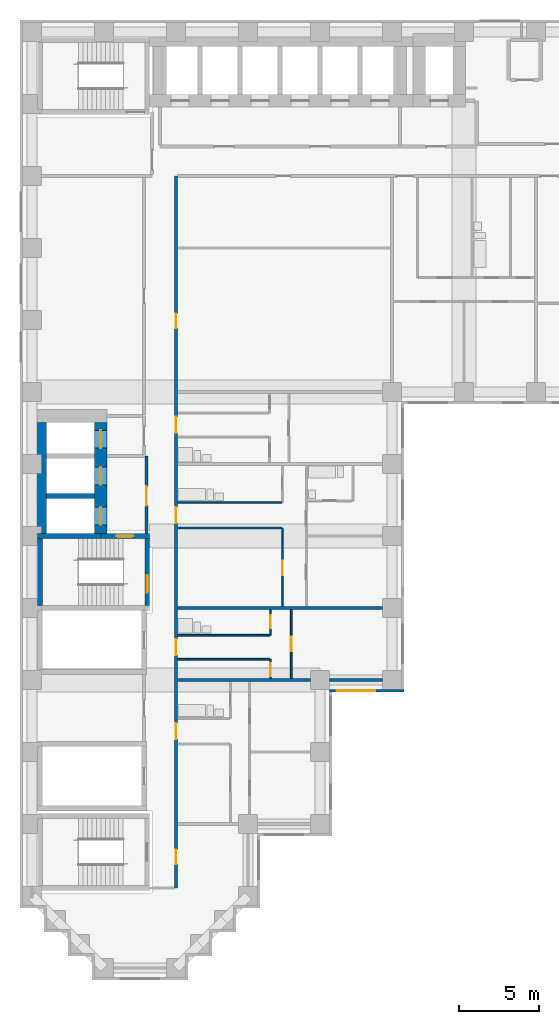
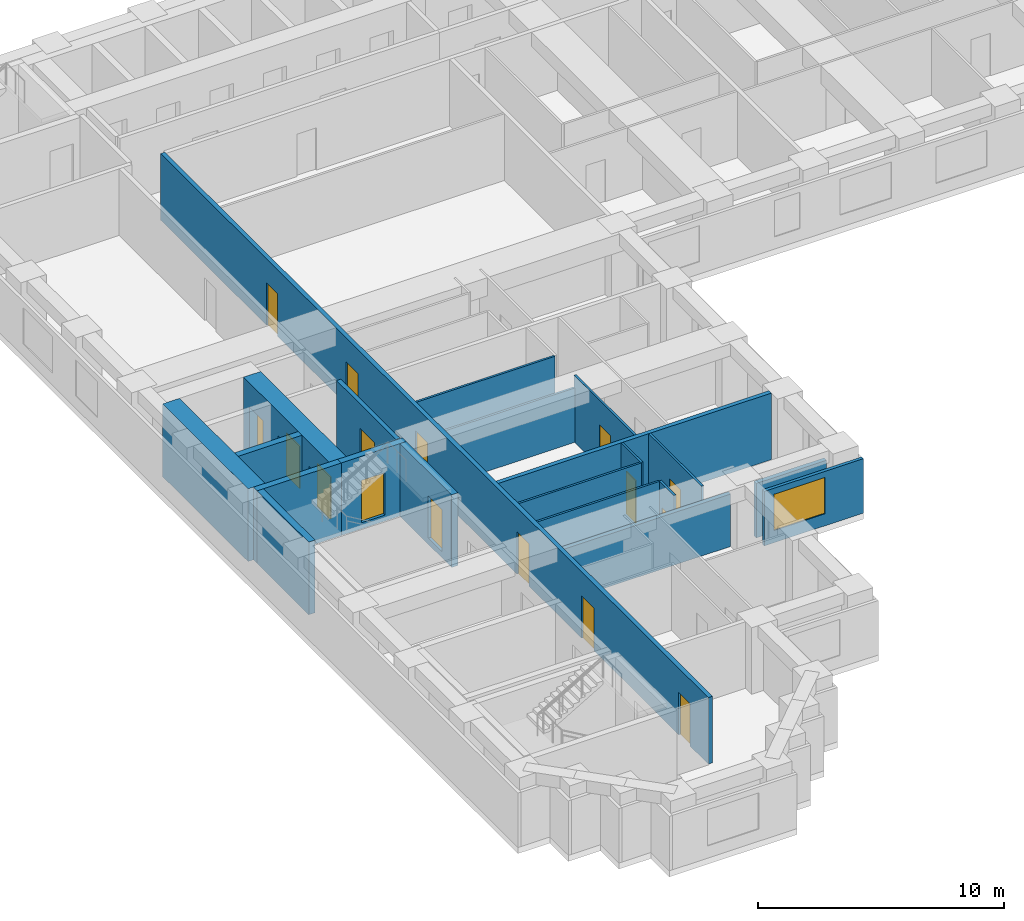
# One storey, part 3 of 11: 21 walls, 16 doors, 1 window, 17 openings.
"""IFC4 building model written with IfcOpenShell, lengths in metres."""

from ifc_helpers import new_model, si_unit, direction, frame, frame_2d, origin, place, context, subcontext, project, spatial, rectangle, extrude, material, layer, layer_set, type_object, element, fill, save


model = new_model("IFC4")

# Units and contexts
model_context = context("Model", 3, precision=1e-05, world=origin(), true_north=direction((0.0, 1.0)))
body_context = subcontext(model_context, "Body", "Model", "MODEL_VIEW")
ifc_project = project(units=[si_unit("LENGTHUNIT", "METRE"), si_unit("AREAUNIT", "SQUARE_METRE"), si_unit("VOLUMEUNIT", "CUBIC_METRE"), si_unit("PLANEANGLEUNIT", "RADIAN"), si_unit("MASSUNIT", "GRAM", prefix="KILO")], contexts=[model_context])

# Site, building, storey
site_placement = place(None, origin())
site = spatial("IfcSite", under=ifc_project, at=site_placement, CompositionType="ELEMENT")
building_placement = place(site_placement, origin())
building = spatial("IfcBuilding", under=site, at=building_placement, Name="Firuza Court", CompositionType="ELEMENT")
storey_placement = place(building_placement, frame((0.0, 0.0, 83.0)))
storey = spatial("IfcBuildingStorey", under=building, at=storey_placement, Name="L20", CompositionType="ELEMENT", Elevation=83.0)

# Walls
ifc_material_1 = material(Name="Moisture-resistant gypsum board partition")
ifc_layer_1 = layer(ifc_material_1, 0.10009765625)
ifc_layer_set_1 = layer_set([ifc_layer_1], Name="Moisture-resistant gypsum board partition")
wall_type_1 = type_object("IfcWallType", Name="Bathroom partition 100", PredefinedType="PLUMBINGWALL", material=ifc_layer_set_1)
wall_1_placement = place(storey_placement, frame((9.10009765625, 20.800048828125, 0.0), z_axis=(0.0, 0.0, 1.0), x_axis=(1.0, 0.0, 0.0)))
element("IfcWall", 1, at=wall_1_placement, inside=storey, type_object=wall_type_1, Name="Bathroom partition 100 L20", PredefinedType="PLUMBINGWALL", context=body_context, shape_type="SweptSolid", body=[
    extrude(rectangle(XDim=5.75, YDim=0.10009765625, at=frame_2d((2.875, 0.0))), origin(), (0.0, 0.0, 1.0), 3.300048828125),
])
wall_2_placement = place(storey_placement, frame((9.10009765625, 29.10009765625, 0.0), z_axis=(0.0, 0.0, 1.0), x_axis=(1.0, 0.0, 0.0)))
element("IfcWall", 2, at=wall_2_placement, inside=storey, type_object=wall_type_1, Name="Bathroom partition 100 L20", PredefinedType="PLUMBINGWALL", context=body_context, shape_type="SweptSolid", body=[
    extrude(rectangle(XDim=6.5, YDim=0.10009765625, at=frame_2d((3.25, 0.0))), origin(), (0.0, 0.0, 1.0), 3.300048828125),
])
ifc_material_2 = material(Name="Concrete C60/75", Category="concrete")
ifc_layer_2 = layer(ifc_material_2, 0.300048828125)
ifc_layer_set_2 = layer_set([ifc_layer_2], Name="Concrete C60/75")
wall_type_2 = type_object("IfcWallType", Name="Core wall 300 C60/75", PredefinedType="SHEAR", material=ifc_layer_set_2)
wall_3_placement = place(storey_placement, frame((0.35009765625, 27.0, -0.300048828125), z_axis=(0.0, 0.0, 1.0), x_axis=(1.0, 0.0, 0.0)))
element("IfcWall", 3, at=wall_3_placement, inside=storey, type_object=wall_type_2, Name="Core wall lift shaft L20", PredefinedType="SHEAR", context=body_context, shape_type="SweptSolid", body=[
    extrude(rectangle(XDim=3.949951171875, YDim=0.300048828125, at=frame_2d((1.97509765625, 0.0))), origin(), (0.0, 0.0, 1.0), 3.60009765625),
])
wall_4_placement = place(storey_placement, frame((0.5, 22.64990234375, -0.300048828125), z_axis=(0.0, 0.0, 1.0), x_axis=(0.0, 1.0, 0.0)))
element("IfcWall", 4, at=wall_4_placement, inside=storey, type_object=wall_type_2, Name="Core wall stair L20", PredefinedType="SHEAR", context=body_context, shape_type="SweptSolid", body=[
    extrude(rectangle(XDim=4.2001953125, YDim=0.300048828125, at=frame_2d((2.10009765625, 0.0))), origin(), (0.0, 0.0, 1.0), 3.60009765625),
])
wall_5_placement = place(storey_placement, frame((0.89990234375, 29.5, -0.300048828125), z_axis=(0.0, 0.0, 1.0), x_axis=(1.0, 0.0, 0.0)))
element("IfcWall", 5, at=wall_5_placement, inside=storey, type_object=wall_type_2, Name="Core wall lift shaft L20", PredefinedType="SHEAR", context=body_context, shape_type="SweptSolid", body=[
    extrude(rectangle(XDim=3.0, YDim=0.300048828125, at=frame_2d((1.5, 0.0))), origin(), (0.0, 0.0, 1.0), 3.60009765625),
])

# Wall, opening, door
wall_6_placement = place(storey_placement, frame((4.300048828125, 27.0, -0.300048828125), z_axis=(0.0, 0.0, 1.0), x_axis=(1.0, 0.0, 0.0)))
wall_6 = element("IfcWall", 6, at=wall_6_placement, inside=storey, type_object=wall_type_2, Name="Core wall stair L20", PredefinedType="SHEAR", context=body_context, shape_type="SweptSolid", body=[
    extrude(rectangle(XDim=3.050048828125, YDim=0.300048828125, at=frame_2d((1.52490234375, 0.0))), origin(), (0.0, 0.0, 1.0), 3.60009765625),
])
opening_1_placement = place(wall_6_placement, frame((0.949951171875, 0.0, 0.300048828125)))
opening_1 = element("IfcOpeningElement", 7, at=opening_1_placement, cuts=wall_6, Name="Opening D20014", PredefinedType="OPENING", context=body_context, shape_type="SweptSolid", body=[
    extrude(rectangle(XDim=1.10009765625, YDim=2.10009765625, at=frame_2d((0.550048828125, 1.050048828125))), frame((0.0, 0.162109375, 0.0), z_axis=(0.0, -1.0, 0.0), x_axis=(1.0, 0.0, 0.0)), (0.0, 0.0, 1.0), 0.323974609375),
])
ifc_material_3 = material(Name="Timber door leaf in hardwood frame", Category="wood")
door_type_1 = type_object("IfcDoorType", Name="Stair door 1100", OperationType="SINGLE_SWING_LEFT", PredefinedType="DOOR", material=ifc_material_3)
door_1_placement = place(opening_1_placement, frame((1.10009765625, 0.0, 0.0), z_axis=(0.0, 0.0, 1.0), x_axis=(-1.0, 0.0, 0.0)))
door_1 = element("IfcDoor", 8, at=door_1_placement, inside=storey, type_object=door_type_1, Name="Fire-fighting lobby door", OperationType="SINGLE_SWING_LEFT", OverallHeight=2.10009765625, OverallWidth=1.10009765625, PredefinedType="DOOR", context=body_context, shape_type="SweptSolid", body=[
    extrude(rectangle(XDim=1.10009765625, YDim=2.10009765625, at=frame_2d((0.550048828125, 1.050048828125))), frame((0.0, 0.02490234375, 0.0), z_axis=(0.0, -1.0, 0.0), x_axis=(1.0, 0.0, 0.0)), (0.0, 0.0, 1.0), 0.050048828125),
])
fill(opening_1, door_1)

wall_7_placement = place(storey_placement, frame((7.199951171875, 22.64990234375, -0.300048828125), z_axis=(0.0, 0.0, 1.0), x_axis=(0.0, 1.0, 0.0)))
wall_7 = element("IfcWall", 9, at=wall_7_placement, inside=storey, type_object=wall_type_2, Name="Core wall stair L20", PredefinedType="SHEAR", context=body_context, shape_type="SweptSolid", body=[
    extrude(rectangle(XDim=4.2001953125, YDim=0.300048828125, at=frame_2d((2.10009765625, 0.0))), origin(), (0.0, 0.0, 1.0), 3.60009765625),
])
opening_2_placement = place(wall_7_placement, frame((0.800048828125, 0.0, 0.300048828125)))
opening_2 = element("IfcOpeningElement", 10, at=opening_2_placement, cuts=wall_7, Name="Opening D20015", PredefinedType="OPENING", context=body_context, shape_type="SweptSolid", body=[
    extrude(rectangle(XDim=1.10009765625, YDim=2.10009765625, at=frame_2d((0.550048828125, 1.050048828125))), frame((0.0, 0.162109375, 0.0), z_axis=(0.0, -1.0, 0.0), x_axis=(1.0, 0.0, 0.0)), (0.0, 0.0, 1.0), 0.323974609375),
])
door_2_placement = place(opening_2_placement, origin())
door_2 = element("IfcDoor", 11, at=door_2_placement, inside=storey, type_object=door_type_1, Name="Stair door S2", OperationType="SINGLE_SWING_LEFT", OverallHeight=2.10009765625, OverallWidth=1.10009765625, PredefinedType="DOOR", context=body_context, shape_type="SweptSolid", body=[
    extrude(rectangle(XDim=1.10009765625, YDim=2.10009765625, at=frame_2d((0.550048828125, 1.050048828125))), frame((0.0, 0.02490234375, 0.0), z_axis=(0.0, -1.0, 0.0), x_axis=(1.0, 0.0, 0.0)), (0.0, 0.0, 1.0), 0.050048828125),
])
fill(opening_2, door_2)

# Wall
ifc_layer_3 = layer(ifc_material_2, 0.800048828125)
ifc_layer_set_3 = layer_set([ifc_layer_3], Name="Concrete C60/75")
wall_type_3 = type_object("IfcWallType", Name="Core wall 800 C60/75", PredefinedType="SHEAR", material=ifc_layer_set_3)
wall_8_placement = place(storey_placement, frame((0.5, 27.14990234375, -0.300048828125), z_axis=(0.0, 0.0, 1.0), x_axis=(0.0, 1.0, 0.0)))
element("IfcWall", 12, at=wall_8_placement, inside=storey, type_object=wall_type_3, Name="Core wall lift shaft L20", PredefinedType="SHEAR", context=body_context, shape_type="SweptSolid", body=[
    extrude(rectangle(XDim=6.9501953125, YDim=0.800048828125, at=frame_2d((3.47509765625, 0.0))), origin(), (0.0, 0.0, 1.0), 3.60009765625),
])

# Wall, openings, doors
wall_9_placement = place(storey_placement, frame((4.300048828125, 27.14990234375, -0.300048828125), z_axis=(0.0, 0.0, 1.0), x_axis=(0.0, 1.0, 0.0)))
wall_9 = element("IfcWall", 13, at=wall_9_placement, inside=storey, type_object=wall_type_3, Name="Core wall lift shaft L20", PredefinedType="SHEAR", context=body_context, shape_type="SweptSolid", body=[
    extrude(rectangle(XDim=6.9501953125, YDim=0.800048828125, at=frame_2d((3.47509765625, 0.0))), origin(), (0.0, 0.0, 1.0), 3.60009765625),
])
opening_3_placement = place(wall_9_placement, frame((3.050048828125, 0.0, 0.300048828125)))
opening_3 = element("IfcOpeningElement", 14, at=opening_3_placement, cuts=wall_9, Name="Opening LD-FL1-20", PredefinedType="OPENING", context=body_context, shape_type="SweptSolid", body=[
    extrude(rectangle(XDim=1.10009765625, YDim=2.10009765625, at=frame_2d((0.550048828125, 1.050048828125))), frame((0.0, 0.412109375, 0.0), z_axis=(0.0, -1.0, 0.0), x_axis=(1.0, 0.0, 0.0)), (0.0, 0.0, 1.0), 0.823974609375),
])
opening_4_placement = place(wall_9_placement, frame((0.550048828125, 0.0, 0.300048828125)))
opening_4 = element("IfcOpeningElement", 15, at=opening_4_placement, cuts=wall_9, Name="Opening LD-FL2-20", PredefinedType="OPENING", context=body_context, shape_type="SweptSolid", body=[
    extrude(rectangle(XDim=1.10009765625, YDim=2.10009765625, at=frame_2d((0.550048828125, 1.050048828125))), frame((0.0, 0.412109375, 0.0), z_axis=(0.0, -1.0, 0.0), x_axis=(1.0, 0.0, 0.0)), (0.0, 0.0, 1.0), 0.823974609375),
])
opening_5_placement = place(wall_9_placement, frame((5.35009765625, 0.0, 0.300048828125)))
opening_5 = element("IfcOpeningElement", 16, at=opening_5_placement, cuts=wall_9, Name="Opening LD-SL1-20", PredefinedType="OPENING", context=body_context, shape_type="SweptSolid", body=[
    extrude(rectangle(XDim=1.10009765625, YDim=2.10009765625, at=frame_2d((0.550048828125, 1.050048828125))), frame((0.0, 0.412109375, 0.0), z_axis=(0.0, -1.0, 0.0), x_axis=(1.0, 0.0, 0.0)), (0.0, 0.0, 1.0), 0.823974609375),
])
ifc_material_4 = material(Name="Stainless steel 1.4301 door leaf", Category="steel")
door_type_2 = type_object("IfcDoorType", Name="Lift landing door 1100", OperationType="SLIDING_TO_LEFT", PredefinedType="DOOR", material=ifc_material_4)
door_3_placement = place(opening_3_placement, origin())
door_3 = element("IfcDoor", 17, at=door_3_placement, inside=storey, type_object=door_type_2, Name="Landing door FL1", OperationType="SLIDING_TO_LEFT", OverallHeight=2.10009765625, OverallWidth=1.10009765625, PredefinedType="DOOR", context=body_context, shape_type="SweptSolid", body=[
    extrude(rectangle(XDim=1.10009765625, YDim=2.10009765625, at=frame_2d((0.550048828125, 1.050048828125))), frame((0.0, 0.02490234375, 0.0), z_axis=(0.0, -1.0, 0.0), x_axis=(1.0, 0.0, 0.0)), (0.0, 0.0, 1.0), 0.050048828125),
])
fill(opening_3, door_3)
door_4_placement = place(opening_4_placement, origin())
door_4 = element("IfcDoor", 18, at=door_4_placement, inside=storey, type_object=door_type_2, Name="Landing door FL2", OperationType="SLIDING_TO_LEFT", OverallHeight=2.10009765625, OverallWidth=1.10009765625, PredefinedType="DOOR", context=body_context, shape_type="SweptSolid", body=[
    extrude(rectangle(XDim=1.10009765625, YDim=2.10009765625, at=frame_2d((0.550048828125, 1.050048828125))), frame((0.0, 0.02490234375, 0.0), z_axis=(0.0, -1.0, 0.0), x_axis=(1.0, 0.0, 0.0)), (0.0, 0.0, 1.0), 0.050048828125),
])
fill(opening_4, door_4)
door_5_placement = place(opening_5_placement, origin())
door_5 = element("IfcDoor", 19, at=door_5_placement, inside=storey, type_object=door_type_2, Name="Landing door SL1", OperationType="SLIDING_TO_LEFT", OverallHeight=2.10009765625, OverallWidth=1.10009765625, PredefinedType="DOOR", context=body_context, shape_type="SweptSolid", body=[
    extrude(rectangle(XDim=1.10009765625, YDim=2.10009765625, at=frame_2d((0.550048828125, 1.050048828125))), frame((0.0, 0.02490234375, 0.0), z_axis=(0.0, -1.0, 0.0), x_axis=(1.0, 0.0, 0.0)), (0.0, 0.0, 1.0), 0.050048828125),
])
fill(opening_5, door_5)

ifc_material_5 = material(Name="Blockwork, plastered both sides", Category="masonry")
ifc_layer_4 = layer(ifc_material_5, 0.199951171875)
ifc_layer_set_4 = layer_set([ifc_layer_4], Name="Blockwork, plastered both sides")
wall_type_4 = type_object("IfcWallType", Name="Corridor wall 200", PredefinedType="PARTITIONING", material=ifc_layer_set_4)
wall_10_placement = place(storey_placement, frame((9.0, 5.0, 0.0), z_axis=(0.0, 0.0, 1.0), x_axis=(0.0, 1.0, 0.0)))
wall_10 = element("IfcWall", 20, at=wall_10_placement, inside=storey, type_object=wall_type_4, Name="Corridor wall 200 L20", PredefinedType="PARTITIONING", context=body_context, shape_type="SweptSolid", body=[
    extrude(rectangle(XDim=44.5, YDim=0.199951171875, at=frame_2d((22.25, 0.0))), origin(), (0.0, 0.0, 1.0), 3.300048828125),
])
opening_6_placement = place(wall_10_placement, frame((28.449951171875, 0.0, 0.0)))
opening_6 = element("IfcOpeningElement", 21, at=opening_6_placement, cuts=wall_10, Name="Opening D20019", PredefinedType="OPENING", context=body_context, shape_type="SweptSolid", body=[
    extrude(rectangle(XDim=1.0, YDim=2.10009765625, at=frame_2d((0.5, 1.050048828125))), frame((0.0, 0.11181640625, 0.0), z_axis=(0.0, -1.0, 0.0), x_axis=(1.0, 0.0, 0.0)), (0.0, 0.0, 1.0), 0.223876953125),
])
opening_7_placement = place(wall_10_placement, frame((22.800048828125, 0.0, 0.0)))
opening_7 = element("IfcOpeningElement", 22, at=opening_7_placement, cuts=wall_10, Name="Opening D20020", PredefinedType="OPENING", context=body_context, shape_type="SweptSolid", body=[
    extrude(rectangle(XDim=1.0, YDim=2.10009765625, at=frame_2d((0.5, 1.050048828125))), frame((0.0, 0.11181640625, 0.0), z_axis=(0.0, -1.0, 0.0), x_axis=(1.0, 0.0, 0.0)), (0.0, 0.0, 1.0), 0.223876953125),
])
opening_8_placement = place(wall_10_placement, frame((14.550048828125, 0.0, 0.0)))
opening_8 = element("IfcOpeningElement", 23, at=opening_8_placement, cuts=wall_10, Name="Opening D20021", PredefinedType="OPENING", context=body_context, shape_type="SweptSolid", body=[
    extrude(rectangle(XDim=1.0, YDim=2.10009765625, at=frame_2d((0.5, 1.050048828125))), frame((0.0, 0.11181640625, 0.0), z_axis=(0.0, -1.0, 0.0), x_axis=(1.0, 0.0, 0.0)), (0.0, 0.0, 1.0), 0.223876953125),
])
opening_9_placement = place(wall_10_placement, frame((9.300048828125, 0.0, 0.0)))
opening_9 = element("IfcOpeningElement", 24, at=opening_9_placement, cuts=wall_10, Name="Opening D20022", PredefinedType="OPENING", context=body_context, shape_type="SweptSolid", body=[
    extrude(rectangle(XDim=1.0, YDim=2.10009765625, at=frame_2d((0.5, 1.050048828125))), frame((0.0, 0.11181640625, 0.0), z_axis=(0.0, -1.0, 0.0), x_axis=(1.0, 0.0, 0.0)), (0.0, 0.0, 1.0), 0.223876953125),
])
opening_10_placement = place(wall_10_placement, frame((35.0, 0.0, 0.0)))
opening_10 = element("IfcOpeningElement", 25, at=opening_10_placement, cuts=wall_10, Name="Opening D20023", PredefinedType="OPENING", context=body_context, shape_type="SweptSolid", body=[
    extrude(rectangle(XDim=0.89990234375, YDim=2.10009765625, at=frame_2d((0.449951171875, 1.050048828125))), frame((0.0, 0.11181640625, 0.0), z_axis=(0.0, -1.0, 0.0), x_axis=(1.0, 0.0, 0.0)), (0.0, 0.0, 1.0), 0.223876953125),
])
opening_11_placement = place(wall_10_placement, frame((1.5, 0.0, 0.0)))
opening_11 = element("IfcOpeningElement", 26, at=opening_11_placement, cuts=wall_10, Name="Opening D20024", PredefinedType="OPENING", context=body_context, shape_type="SweptSolid", body=[
    extrude(rectangle(XDim=0.89990234375, YDim=2.10009765625, at=frame_2d((0.449951171875, 1.050048828125))), frame((0.0, 0.11181640625, 0.0), z_axis=(0.0, -1.0, 0.0), x_axis=(1.0, 0.0, 0.0)), (0.0, 0.0, 1.0), 0.223876953125),
])
ifc_material_6 = material(Name="Timber door leaf in hardwood frame", Category="wood")
door_type_3 = type_object("IfcDoorType", Name="Flat entrance door 1000", OperationType="SINGLE_SWING_LEFT", PredefinedType="DOOR", material=ifc_material_6)
door_6_placement = place(opening_6_placement, origin())
door_6 = element("IfcDoor", 27, at=door_6_placement, inside=storey, type_object=door_type_3, Name="Flat entrance door", OperationType="SINGLE_SWING_LEFT", OverallHeight=2.10009765625, OverallWidth=1.0, PredefinedType="DOOR", context=body_context, shape_type="SweptSolid", body=[
    extrude(rectangle(XDim=1.0, YDim=2.10009765625, at=frame_2d((0.5, 1.050048828125))), frame((0.0, 0.02490234375, 0.0), z_axis=(0.0, -1.0, 0.0), x_axis=(1.0, 0.0, 0.0)), (0.0, 0.0, 1.0), 0.050048828125),
])
fill(opening_6, door_6)
door_7_placement = place(opening_7_placement, origin())
door_7 = element("IfcDoor", 28, at=door_7_placement, inside=storey, type_object=door_type_3, Name="Flat entrance door", OperationType="SINGLE_SWING_LEFT", OverallHeight=2.10009765625, OverallWidth=1.0, PredefinedType="DOOR", context=body_context, shape_type="SweptSolid", body=[
    extrude(rectangle(XDim=1.0, YDim=2.10009765625, at=frame_2d((0.5, 1.050048828125))), frame((0.0, 0.02490234375, 0.0), z_axis=(0.0, -1.0, 0.0), x_axis=(1.0, 0.0, 0.0)), (0.0, 0.0, 1.0), 0.050048828125),
])
fill(opening_7, door_7)
door_8_placement = place(opening_8_placement, origin())
door_8 = element("IfcDoor", 29, at=door_8_placement, inside=storey, type_object=door_type_3, Name="Flat entrance door", OperationType="SINGLE_SWING_LEFT", OverallHeight=2.10009765625, OverallWidth=1.0, PredefinedType="DOOR", context=body_context, shape_type="SweptSolid", body=[
    extrude(rectangle(XDim=1.0, YDim=2.10009765625, at=frame_2d((0.5, 1.050048828125))), frame((0.0, 0.02490234375, 0.0), z_axis=(0.0, -1.0, 0.0), x_axis=(1.0, 0.0, 0.0)), (0.0, 0.0, 1.0), 0.050048828125),
])
fill(opening_8, door_8)
door_9_placement = place(opening_9_placement, origin())
door_9 = element("IfcDoor", 30, at=door_9_placement, inside=storey, type_object=door_type_3, Name="Flat entrance door", OperationType="SINGLE_SWING_LEFT", OverallHeight=2.10009765625, OverallWidth=1.0, PredefinedType="DOOR", context=body_context, shape_type="SweptSolid", body=[
    extrude(rectangle(XDim=1.0, YDim=2.10009765625, at=frame_2d((0.5, 1.050048828125))), frame((0.0, 0.02490234375, 0.0), z_axis=(0.0, -1.0, 0.0), x_axis=(1.0, 0.0, 0.0)), (0.0, 0.0, 1.0), 0.050048828125),
])
fill(opening_9, door_9)
ifc_material_7 = material(Name="Timber door leaf in hardwood frame", Category="wood")
door_type_4 = type_object("IfcDoorType", Name="Room door 900 EI 30", OperationType="SINGLE_SWING_LEFT", PredefinedType="DOOR", material=ifc_material_7)
door_10_placement = place(opening_10_placement, frame((0.89990234375, 0.0, 0.0), z_axis=(0.0, 0.0, 1.0), x_axis=(-1.0, 0.0, 0.0)))
door_10 = element("IfcDoor", 31, at=door_10_placement, inside=storey, type_object=door_type_4, Name="Meeting room door", OperationType="SINGLE_SWING_RIGHT", OverallHeight=2.10009765625, OverallWidth=0.89990234375, PredefinedType="DOOR", context=body_context, shape_type="SweptSolid", body=[
    extrude(rectangle(XDim=0.89990234375, YDim=2.10009765625, at=frame_2d((0.449951171875, 1.050048828125))), frame((0.0, 0.02490234375, 0.0), z_axis=(0.0, -1.0, 0.0), x_axis=(1.0, 0.0, 0.0)), (0.0, 0.0, 1.0), 0.050048828125),
])
fill(opening_10, door_10)
door_11_placement = place(opening_11_placement, origin())
door_11 = element("IfcDoor", 32, at=door_11_placement, inside=storey, type_object=door_type_4, Name="Fitness studio door", OperationType="SINGLE_SWING_LEFT", OverallHeight=2.10009765625, OverallWidth=0.89990234375, PredefinedType="DOOR", context=body_context, shape_type="SweptSolid", body=[
    extrude(rectangle(XDim=0.89990234375, YDim=2.10009765625, at=frame_2d((0.449951171875, 1.050048828125))), frame((0.0, 0.02490234375, 0.0), z_axis=(0.0, -1.0, 0.0), x_axis=(1.0, 0.0, 0.0)), (0.0, 0.0, 1.0), 0.050048828125),
])
fill(opening_11, door_11)

# Wall, opening, door
ifc_material_8 = material(Name="Timber stud partition, plasterboard both sides", Category="wood")
ifc_layer_5 = layer(ifc_material_8, 0.10009765625)
ifc_layer_set_5 = layer_set([ifc_layer_5], Name="Timber stud partition, plasterboard both sides")
wall_type_5 = type_object("IfcWallType", Name="Partition wall 100", PredefinedType="PARTITIONING", material=ifc_layer_set_5)
wall_11_placement = place(storey_placement, frame((14.89990234375, 18.10009765625, 0.0), z_axis=(0.0, 0.0, 1.0), x_axis=(0.0, 1.0, 0.0)))
wall_11 = element("IfcWall", 33, at=wall_11_placement, inside=storey, type_object=wall_type_5, Name="Partition wall 100 L20", PredefinedType="PARTITIONING", context=body_context, shape_type="SweptSolid", body=[
    extrude(rectangle(XDim=1.199951171875, YDim=0.10009765625, at=frame_2d((0.60009765625, 0.0))), origin(), (0.0, 0.0, 1.0), 3.300048828125),
])
opening_12_placement = place(wall_11_placement, frame((0.14990234375, 0.0, 0.0)))
opening_12 = element("IfcOpeningElement", 34, at=opening_12_placement, cuts=wall_11, Name="Opening D20030", PredefinedType="OPENING", context=body_context, shape_type="SweptSolid", body=[
    extrude(rectangle(XDim=0.800048828125, YDim=2.10009765625, at=frame_2d((0.39990234375, 1.050048828125))), frame((0.0, 0.06201171875, 0.0), z_axis=(0.0, -1.0, 0.0), x_axis=(1.0, 0.0, 0.0)), (0.0, 0.0, 1.0), 0.1240234375),
])
ifc_material_9 = material(Name="Timber door leaf in hardwood frame", Category="wood")
door_type_5 = type_object("IfcDoorType", Name="Room door 800", OperationType="SINGLE_SWING_LEFT", PredefinedType="DOOR", material=ifc_material_9)
door_12_placement = place(opening_12_placement, origin())
door_12 = element("IfcDoor", 35, at=door_12_placement, inside=storey, type_object=door_type_5, Name="Kitchen door", OperationType="SINGLE_SWING_LEFT", OverallHeight=2.10009765625, OverallWidth=0.800048828125, PredefinedType="DOOR", context=body_context, shape_type="SweptSolid", body=[
    extrude(rectangle(XDim=0.800048828125, YDim=2.10009765625, at=frame_2d((0.39990234375, 1.050048828125))), frame((0.0, 0.02490234375, 0.0), z_axis=(0.0, -1.0, 0.0), x_axis=(1.0, 0.0, 0.0)), (0.0, 0.0, 1.0), 0.050048828125),
])
fill(opening_12, door_12)

wall_12_placement = place(storey_placement, frame((16.199951171875, 18.10009765625, 0.0), z_axis=(0.0, 0.0, 1.0), x_axis=(0.0, 1.0, 0.0)))
wall_12 = element("IfcWall", 36, at=wall_12_placement, inside=storey, type_object=wall_type_5, Name="Partition wall 100 L20", PredefinedType="PARTITIONING", context=body_context, shape_type="SweptSolid", body=[
    extrude(rectangle(XDim=4.2998046875, YDim=0.10009765625, at=frame_2d((2.14990234375, 0.0))), origin(), (0.0, 0.0, 1.0), 3.300048828125),
])
opening_13_placement = place(wall_12_placement, frame((1.699951171875, 0.0, 0.0)))
opening_13 = element("IfcOpeningElement", 37, at=opening_13_placement, cuts=wall_12, Name="Opening D20031", PredefinedType="OPENING", context=body_context, shape_type="SweptSolid", body=[
    extrude(rectangle(XDim=0.89990234375, YDim=2.10009765625, at=frame_2d((0.449951171875, 1.050048828125))), frame((0.0, 0.06201171875, 0.0), z_axis=(0.0, -1.0, 0.0), x_axis=(1.0, 0.0, 0.0)), (0.0, 0.0, 1.0), 0.1240234375),
])
ifc_material_10 = material(Name="Timber door leaf in hardwood frame", Category="wood")
door_type_6 = type_object("IfcDoorType", Name="Room door 900", OperationType="SINGLE_SWING_LEFT", PredefinedType="DOOR", material=ifc_material_10)
door_13_placement = place(opening_13_placement, frame((0.89990234375, 0.0, 0.0), z_axis=(0.0, 0.0, 1.0), x_axis=(-1.0, 0.0, 0.0)))
door_13 = element("IfcDoor", 38, at=door_13_placement, inside=storey, type_object=door_type_6, Name="Studio room door", OperationType="SINGLE_SWING_RIGHT", OverallHeight=2.10009765625, OverallWidth=0.89990234375, PredefinedType="DOOR", context=body_context, shape_type="SweptSolid", body=[
    extrude(rectangle(XDim=0.89990234375, YDim=2.10009765625, at=frame_2d((0.449951171875, 1.050048828125))), frame((0.0, 0.02490234375, 0.0), z_axis=(0.0, -1.0, 0.0), x_axis=(1.0, 0.0, 0.0)), (0.0, 0.0, 1.0), 0.050048828125),
])
fill(opening_13, door_13)

# Wall
wall_13_placement = place(storey_placement, frame((9.10009765625, 19.300048828125, 0.0), z_axis=(0.0, 0.0, 1.0), x_axis=(1.0, 0.0, 0.0)))
element("IfcWall", 39, at=wall_13_placement, inside=storey, type_object=wall_type_5, Name="Partition wall 100 L20", PredefinedType="PARTITIONING", context=body_context, shape_type="SweptSolid", body=[
    extrude(rectangle(XDim=5.75, YDim=0.10009765625, at=frame_2d((2.875, 0.0))), origin(), (0.0, 0.0, 1.0), 3.300048828125),
])

# Wall, opening, door
wall_14_placement = place(storey_placement, frame((14.89990234375, 20.800048828125, 0.0), z_axis=(0.0, 0.0, 1.0), x_axis=(0.0, 1.0, 0.0)))
wall_14 = element("IfcWall", 40, at=wall_14_placement, inside=storey, type_object=wall_type_5, Name="Partition wall 100 L20", PredefinedType="PARTITIONING", context=body_context, shape_type="SweptSolid", body=[
    extrude(rectangle(XDim=1.599853515625, YDim=0.10009765625, at=frame_2d((0.7998046875, 0.0))), origin(), (0.0, 0.0, 1.0), 3.300048828125),
])
opening_14_placement = place(wall_14_placement, frame((0.449951171875, 0.0, 0.0)))
opening_14 = element("IfcOpeningElement", 41, at=opening_14_placement, cuts=wall_14, Name="Opening D20032", PredefinedType="OPENING", context=body_context, shape_type="SweptSolid", body=[
    extrude(rectangle(XDim=0.800048828125, YDim=2.10009765625, at=frame_2d((0.39990234375, 1.050048828125))), frame((0.0, 0.06201171875, 0.0), z_axis=(0.0, -1.0, 0.0), x_axis=(1.0, 0.0, 0.0)), (0.0, 0.0, 1.0), 0.1240234375),
])
ifc_material_11 = material(Name="Timber door leaf in hardwood frame", Category="wood")
door_type_7 = type_object("IfcDoorType", Name="Bathroom door 800", OperationType="SINGLE_SWING_LEFT", PredefinedType="DOOR", material=ifc_material_11)
door_14_placement = place(opening_14_placement, origin())
door_14 = element("IfcDoor", 42, at=door_14_placement, inside=storey, type_object=door_type_7, Name="Bathroom door", OperationType="SINGLE_SWING_LEFT", OverallHeight=2.10009765625, OverallWidth=0.800048828125, PredefinedType="DOOR", context=body_context, shape_type="SweptSolid", body=[
    extrude(rectangle(XDim=0.800048828125, YDim=2.10009765625, at=frame_2d((0.39990234375, 1.050048828125))), frame((0.0, 0.02490234375, 0.0), z_axis=(0.0, -1.0, 0.0), x_axis=(1.0, 0.0, 0.0)), (0.0, 0.0, 1.0), 0.050048828125),
])
fill(opening_14, door_14)

wall_15_placement = place(storey_placement, frame((15.64990234375, 22.60009765625, 0.0), z_axis=(0.0, 0.0, 1.0), x_axis=(0.0, 1.0, 0.0)))
wall_15 = element("IfcWall", 43, at=wall_15_placement, inside=storey, type_object=wall_type_5, Name="Partition wall 100 L20", PredefinedType="PARTITIONING", context=body_context, shape_type="SweptSolid", body=[
    extrude(rectangle(XDim=4.89990234375, YDim=0.10009765625, at=frame_2d((2.449951171875, 0.0))), origin(), (0.0, 0.0, 1.0), 3.300048828125),
])
opening_15_placement = place(wall_15_placement, frame((1.949951171875, 0.0, 0.0)))
opening_15 = element("IfcOpeningElement", 44, at=opening_15_placement, cuts=wall_15, Name="Opening D20033", PredefinedType="OPENING", context=body_context, shape_type="SweptSolid", body=[
    extrude(rectangle(XDim=0.89990234375, YDim=2.10009765625, at=frame_2d((0.449951171875, 1.050048828125))), frame((0.0, 0.06201171875, 0.0), z_axis=(0.0, -1.0, 0.0), x_axis=(1.0, 0.0, 0.0)), (0.0, 0.0, 1.0), 0.1240234375),
])
door_15_placement = place(opening_15_placement, origin())
door_15 = element("IfcDoor", 45, at=door_15_placement, inside=storey, type_object=door_type_6, Name="Kitchen door", OperationType="SINGLE_SWING_LEFT", OverallHeight=2.10009765625, OverallWidth=0.89990234375, PredefinedType="DOOR", context=body_context, shape_type="SweptSolid", body=[
    extrude(rectangle(XDim=0.89990234375, YDim=2.10009765625, at=frame_2d((0.449951171875, 1.050048828125))), frame((0.0, 0.02490234375, 0.0), z_axis=(0.0, -1.0, 0.0), x_axis=(1.0, 0.0, 0.0)), (0.0, 0.0, 1.0), 0.050048828125),
])
fill(opening_15, door_15)

# Walls
wall_16_placement = place(storey_placement, frame((9.10009765625, 27.5, 0.0), z_axis=(0.0, 0.0, 1.0), x_axis=(1.0, 0.0, 0.0)))
element("IfcWall", 46, at=wall_16_placement, inside=storey, type_object=wall_type_5, Name="Partition wall 100 L20", PredefinedType="PARTITIONING", context=body_context, shape_type="SweptSolid", body=[
    extrude(rectangle(XDim=6.5, YDim=0.10009765625, at=frame_2d((3.25, 0.0))), origin(), (0.0, 0.0, 1.0), 2.699951171875),
])
ifc_layer_6 = layer(ifc_material_5, 0.199951171875)
ifc_layer_set_6 = layer_set([ifc_layer_6], Name="Blockwork, plastered both sides")
wall_type_6 = type_object("IfcWallType", Name="Party wall 200", PredefinedType="PARTITIONING", material=ifc_layer_set_6)
wall_17_placement = place(storey_placement, frame((9.10009765625, 18.0, 0.0), z_axis=(0.0, 0.0, 1.0), x_axis=(1.0, 0.0, 0.0)))
element("IfcWall", 47, at=wall_17_placement, inside=storey, type_object=wall_type_6, Name="Party wall 200 L20", PredefinedType="PARTITIONING", context=body_context, shape_type="SweptSolid", body=[
    extrude(rectangle(XDim=8.2998046875, YDim=0.199951171875, at=frame_2d((4.14990234375, 0.0))), origin(), (0.0, 0.0, 1.0), 2.60009765625),
])
wall_18_placement = place(storey_placement, frame((18.60009765625, 18.0, 0.0), z_axis=(0.0, 0.0, 1.0), x_axis=(1.0, 0.0, 0.0)))
element("IfcWall", 48, at=wall_18_placement, inside=storey, type_object=wall_type_6, Name="Party wall 200 L20", PredefinedType="PARTITIONING", context=body_context, shape_type="SweptSolid", body=[
    extrude(rectangle(XDim=3.2998046875, YDim=0.199951171875, at=frame_2d((1.64990234375, 0.0))), origin(), (0.0, 0.0, 1.0), 2.699951171875),
])
wall_19_placement = place(storey_placement, frame((9.10009765625, 22.5, 0.0), z_axis=(0.0, 0.0, 1.0), x_axis=(1.0, 0.0, 0.0)))
element("IfcWall", 49, at=wall_19_placement, inside=storey, type_object=wall_type_6, Name="Party wall 200 L20", PredefinedType="PARTITIONING", context=body_context, shape_type="SweptSolid", body=[
    extrude(rectangle(XDim=12.7998046875, YDim=0.199951171875, at=frame_2d((6.39990234375, 0.0))), origin(), (0.0, 0.0, 1.0), 3.300048828125),
])

# Wall, opening, window
ifc_material_12 = material(Name="Ceramic tile", Category="ceramic")
ifc_layer_7 = layer(ifc_material_12, 0.02001953125)
ifc_material_13 = material(Name="Mineral wool insulation", Category="insulation")
ifc_layer_8 = layer(ifc_material_13, 0.050048828125)
ifc_material_14 = material(Name="Concrete C40/50 precast", Category="concrete")
ifc_layer_9 = layer(ifc_material_14, 0.080078125)
ifc_layer_set_7 = layer_set([ifc_layer_7, ifc_layer_8, ifc_layer_9], Name="Concrete C40/50 precast")
wall_type_7 = type_object("IfcWallType", Name="Precast cladding wall with turquoise TILE PANEL face 150", PredefinedType="STANDARD", material=ifc_layer_set_7)
wall_20_placement = place(storey_placement, frame((18.60009765625, 17.324951171875, 0.0), z_axis=(0.0, 0.0, 1.0), x_axis=(1.0, 0.0, 0.0)))
wall_20 = element("IfcWall", 50, at=wall_20_placement, inside=storey, type_object=wall_type_7, Name="Facade wall L20 S", PredefinedType="STANDARD", context=body_context, shape_type="SweptSolid", body=[
    extrude(rectangle(XDim=4.64990234375, YDim=0.14990234375, at=frame_2d((2.324951171875, 0.0))), origin(), (0.0, 0.0, 1.0), 2.699951171875),
])
opening_16_placement = place(wall_20_placement, frame((0.449951171875, 0.0, 0.60009765625)))
opening_16 = element("IfcOpeningElement", 51, at=opening_16_placement, cuts=wall_20, Name="Opening W1", PredefinedType="OPENING", context=body_context, shape_type="SweptSolid", body=[
    extrude(rectangle(XDim=2.39990234375, YDim=1.800048828125, at=frame_2d((1.199951171875, 0.89990234375))), frame((0.0, 0.0869140625, 0.0), z_axis=(0.0, -1.0, 0.0), x_axis=(1.0, 0.0, 0.0)), (0.0, 0.0, 1.0), 0.173828125),
])
ifc_material_15 = material(Name="Aluminium frame, triple clear glazing", Category="aluminium")
window_type = type_object("IfcWindowType", Name="Window W1 2400 x 1800", PartitioningType="SINGLE_PANEL", PredefinedType="WINDOW", material=ifc_material_15)
window_placement = place(opening_16_placement, origin())
window = element("IfcWindow", 52, at=window_placement, inside=storey, type_object=window_type, Name="Window L20", OverallHeight=1.800048828125, OverallWidth=2.39990234375, PartitioningType="SINGLE_PANEL", PredefinedType="WINDOW", context=body_context, shape_type="SweptSolid", body=[
    extrude(rectangle(XDim=2.39990234375, YDim=1.800048828125, at=frame_2d((1.199951171875, 0.89990234375))), frame((0.0, 0.030029296875, 0.0), z_axis=(0.0, -1.0, 0.0), x_axis=(1.0, 0.0, 0.0)), (0.0, 0.0, 1.0), 0.06005859375),
])
fill(opening_16, window)

# Wall, opening, door
ifc_material_16 = material(Name="Blockwork, fire-rated", Category="masonry")
ifc_layer_10 = layer(ifc_material_16, 0.199951171875)
ifc_layer_set_8 = layer_set([ifc_layer_10], Name="Blockwork, fire-rated")
wall_type_8 = type_object("IfcWallType", Name="Shaft wall 200", PredefinedType="PARTITIONING", material=ifc_layer_set_8)
wall_21_placement = place(storey_placement, frame((7.14990234375, 27.169921875, 0.0), z_axis=(0.0, 0.0, 1.0), x_axis=(0.0, 1.0, 0.0)))
wall_21 = element("IfcWall", 53, at=wall_21_placement, inside=storey, type_object=wall_type_8, Name="Shaft wall 200 L20", PredefinedType="PARTITIONING", context=body_context, shape_type="SweptSolid", body=[
    extrude(rectangle(XDim=4.830078125, YDim=0.199951171875, at=frame_2d((2.4150390625, 0.0))), origin(), (0.0, 0.0, 1.0), 3.300048828125),
])
opening_17_placement = place(wall_21_placement, frame((1.72998046875, 0.0, 0.0)))
opening_17 = element("IfcOpeningElement", 54, at=opening_17_placement, cuts=wall_21, Name="Opening D20002", PredefinedType="OPENING", context=body_context, shape_type="SweptSolid", body=[
    extrude(rectangle(XDim=1.199951171875, YDim=2.10009765625, at=frame_2d((0.60009765625, 1.050048828125))), frame((0.0, 0.11181640625, 0.0), z_axis=(0.0, -1.0, 0.0), x_axis=(1.0, 0.0, 0.0)), (0.0, 0.0, 1.0), 0.223876953125),
])
ifc_material_17 = material(Name="Timber door leaf in hardwood frame", Category="wood")
door_type_8 = type_object("IfcDoorType", Name="Lobby door 1200", OperationType="SINGLE_SWING_LEFT", PredefinedType="DOOR", material=ifc_material_17)
door_16_placement = place(opening_17_placement, origin())
door_16 = element("IfcDoor", 55, at=door_16_placement, inside=storey, type_object=door_type_8, Name="Fire-fighting lobby door", OperationType="SINGLE_SWING_LEFT", OverallHeight=2.10009765625, OverallWidth=1.199951171875, PredefinedType="DOOR", context=body_context, shape_type="SweptSolid", body=[
    extrude(rectangle(XDim=1.199951171875, YDim=2.10009765625, at=frame_2d((0.60009765625, 1.050048828125))), frame((0.0, 0.02490234375, 0.0), z_axis=(0.0, -1.0, 0.0), x_axis=(1.0, 0.0, 0.0)), (0.0, 0.0, 1.0), 0.050048828125),
])
fill(opening_17, door_16)

save(model, "model.ifc")
